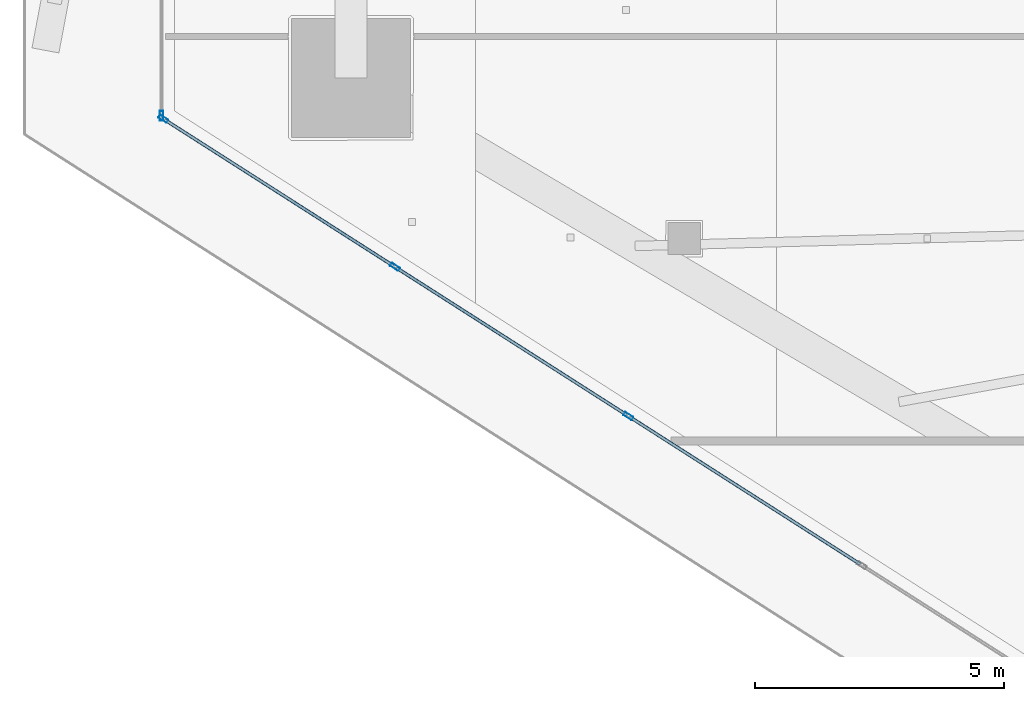
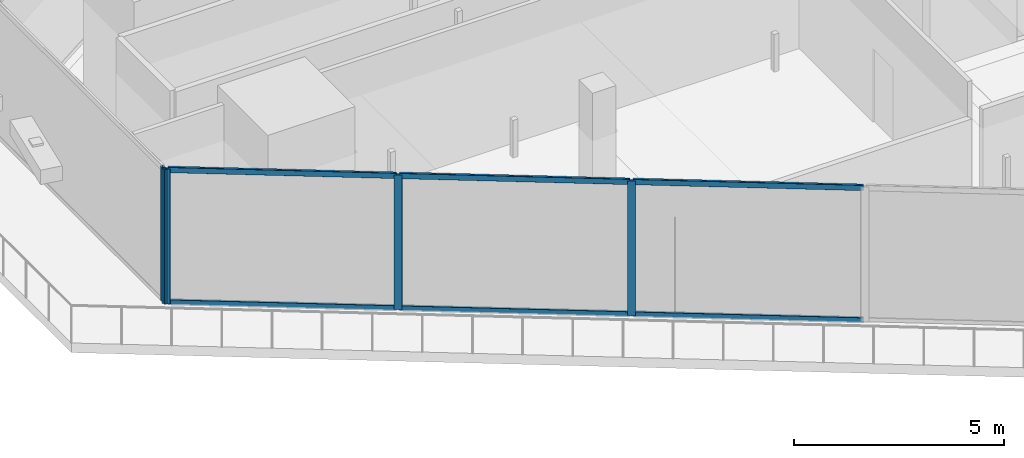
# One storey, part 3 of 47: 10 members, 2 elements without a shape of their own.
"""IFC4 building model written with IfcOpenShell, lengths in metres."""

from ifc_helpers import new_model, si_unit, direction, frame, origin, origin_2d, place, context, subcontext, project, spatial, hollow_rectangle, extrude, material, layer, layer_set, material_profile, profile_set, type_object, element, aggregate, save


model = new_model("IFC4")

# Units and contexts
model_context = context("Model", 3, precision=1e-05, world=origin(), true_north=direction((0.0, 1.0)))
body_context = subcontext(model_context, "Body", "Model", "MODEL_VIEW")
ifc_project = project(units=[si_unit("LENGTHUNIT", "METRE"), si_unit("AREAUNIT", "SQUARE_METRE"), si_unit("VOLUMEUNIT", "CUBIC_METRE"), si_unit("PLANEANGLEUNIT", "RADIAN"), si_unit("MASSUNIT", "GRAM", prefix="KILO")], contexts=[model_context])

# Site, building, storey
site_placement = place(None, origin())
site = spatial("IfcSite", under=ifc_project, at=site_placement, CompositionType="ELEMENT")
building_placement = place(site_placement, origin())
building = spatial("IfcBuilding", under=site, at=building_placement, Name="Qorvath Tower", CompositionType="ELEMENT")
storey_placement = place(building_placement, frame((0.0, 0.0, 82.800048828125)))
storey = spatial("IfcBuildingStorey", under=building, at=storey_placement, Name="L18", CompositionType="ELEMENT", Elevation=82.800048828125)

# Curtain wall, member
ifc_material_1 = material(Name="Anodised aluminium and triple low-E glass", Category="aluminium")
ifc_layer = layer(ifc_material_1, 0.179931640625)
ifc_layer_set = layer_set([ifc_layer], Name="CW-SYS-5")
curtain_wall_type = type_object("IfcCurtainWallType", Name="CW-SYS-5", PredefinedType="NOTDEFINED", material=ifc_layer_set)
curtain_wall_1_placement = place(storey_placement, origin())
curtain_wall_1 = element("IfcCurtainWall", 1, at=curtain_wall_1_placement, inside=storey, type_object=curtain_wall_type, Name="Curtain Wall CW-5 CW-T-L18-5.1", PredefinedType="NOTDEFINED")
ifc_material_2 = material(Name="Anodised aluminium 6063-T6", Category="aluminium")
ifc_material_profile_1 = material_profile(ifc_material_2, hollow_rectangle(XDim=0.074951171875, YDim=0.199951171875, WallThickness=0.00390625, InnerFilletRadius=0.00390625, OuterFilletRadius=0.008056640625, at=origin_2d()), Name="CWM 200x75")
ifc_profile_set_1 = profile_set([ifc_material_profile_1], Name="Anodised aluminium 6063-T6")
member_type_1 = type_object("IfcMemberType", Name="CWM-200", PredefinedType="MULLION", material=ifc_profile_set_1)
member_1_placement = place(storey_placement, frame((-59.094482421875, -3.95654296875, 0.0), z_axis=(0.0, 0.0, 1.0), x_axis=(1.0, 0.0, 0.0)))
member_1 = element("IfcMember", 2, at=member_1_placement, type_object=member_type_1, Name="CW-5 mullion 2", PredefinedType="MULLION", context=body_context, shape_type="SweptSolid", body=[
    extrude(hollow_rectangle(XDim=0.074951171875, YDim=0.199951171875, WallThickness=0.00390625, InnerFilletRadius=0.00390625, OuterFilletRadius=0.008056640625, at=origin_2d()), origin(), (0.0, 0.0, 1.0), 3.919921875),
])
aggregate(curtain_wall_1, [member_1])

# Curtain wall, members
curtain_wall_2_placement = place(storey_placement, origin())
curtain_wall_2 = element("IfcCurtainWall", 3, at=curtain_wall_2_placement, inside=storey, type_object=curtain_wall_type, Name="Curtain Wall CW-5 CW-T-L18-6.1", PredefinedType="NOTDEFINED")
member_2_placement = place(storey_placement, frame((-59.06298828125, -4.014404296875, 0.0), z_axis=(0.0, 0.0, 1.0), x_axis=(0.538527563, 0.842607894509, 0.0)))
member_2 = element("IfcMember", 4, at=member_2_placement, type_object=member_type_1, Name="CW-5 mullion 1", PredefinedType="MULLION", context=body_context, shape_type="SweptSolid", body=[
    extrude(hollow_rectangle(XDim=0.074951171875, YDim=0.199951171875, WallThickness=0.00390625, InnerFilletRadius=0.00390625, OuterFilletRadius=0.008056640625, at=origin_2d()), origin(), (0.0, 0.0, 1.0), 3.919921875),
])
member_3_placement = place(storey_placement, frame((-54.39990234375, -6.994384765625, 0.0), z_axis=(0.0, 0.0, 1.0), x_axis=(0.538527563, 0.842607894509, 0.0)))
member_3 = element("IfcMember", 5, at=member_3_placement, type_object=member_type_1, Name="CW-5 mullion 2", PredefinedType="MULLION", context=body_context, shape_type="SweptSolid", body=[
    extrude(hollow_rectangle(XDim=0.074951171875, YDim=0.199951171875, WallThickness=0.00390625, InnerFilletRadius=0.00390625, OuterFilletRadius=0.008056640625, at=origin_2d()), origin(), (0.0, 0.0, 1.0), 3.919921875),
])
member_4_placement = place(storey_placement, frame((-49.705322265625, -9.994873046875, 0.0), z_axis=(0.0, 0.0, 1.0), x_axis=(0.538527563, 0.842607894509, 0.0)))
member_4 = element("IfcMember", 6, at=member_4_placement, type_object=member_type_1, Name="CW-5 mullion 3", PredefinedType="MULLION", context=body_context, shape_type="SweptSolid", body=[
    extrude(hollow_rectangle(XDim=0.074951171875, YDim=0.199951171875, WallThickness=0.00390625, InnerFilletRadius=0.00390625, OuterFilletRadius=0.008056640625, at=origin_2d()), origin(), (0.0, 0.0, 1.0), 3.919921875),
])
ifc_material_3 = material(Name="Anodised aluminium 6063-T6", Category="aluminium")
ifc_material_profile_2 = material_profile(ifc_material_3, hollow_rectangle(XDim=0.06494140625, YDim=0.159912109375, WallThickness=0.00341796875, InnerFilletRadius=0.00341796875, OuterFilletRadius=0.007080078125, at=origin_2d()), Name="CWT 160x65")
ifc_profile_set_2 = profile_set([ifc_material_profile_2], Name="Anodised aluminium 6063-T6")
member_type_2 = type_object("IfcMemberType", Name="CWT-160", PredefinedType="USERDEFINED", material=ifc_profile_set_2)
member_5_placement = place(storey_placement, frame((-59.03125, -4.034423828125, 0.032470703125), z_axis=(0.842600995592, -0.538538357248, 0.0), x_axis=(0.538538357248, 0.842600995592, 0.0)))
member_5 = element("IfcMember", 7, at=member_5_placement, type_object=member_type_2, Name="CW-5 transom 1.1", ObjectType="TRANSOM", PredefinedType="USERDEFINED", context=body_context, shape_type="SweptSolid", body=[
    extrude(hollow_rectangle(XDim=0.06494140625, YDim=0.159912109375, WallThickness=0.00341796875, InnerFilletRadius=0.00341796875, OuterFilletRadius=0.007080078125, at=origin_2d()), origin(), (0.0, 0.0, 1.0), 5.459228515625),
])
member_6_placement = place(storey_placement, frame((-59.03125, -4.034423828125, 3.887451171875), z_axis=(0.842600995592, -0.538538357248, 0.0), x_axis=(0.538538357248, 0.842600995592, 0.0)))
member_6 = element("IfcMember", 8, at=member_6_placement, type_object=member_type_2, Name="CW-5 transom 1.2", ObjectType="TRANSOM", PredefinedType="USERDEFINED", context=body_context, shape_type="SweptSolid", body=[
    extrude(hollow_rectangle(XDim=0.06494140625, YDim=0.159912109375, WallThickness=0.00341796875, InnerFilletRadius=0.00341796875, OuterFilletRadius=0.007080078125, at=origin_2d()), origin(), (0.0, 0.0, 1.0), 5.459228515625),
])
member_7_placement = place(storey_placement, frame((-54.368408203125, -7.0146484375, 0.032470703125), z_axis=(0.842622922397, -0.538504048872, 0.0), x_axis=(0.538504048872, 0.842622922397, 0.0)))
member_7 = element("IfcMember", 9, at=member_7_placement, type_object=member_type_2, Name="CW-5 transom 2.1", ObjectType="TRANSOM", PredefinedType="USERDEFINED", context=body_context, shape_type="SweptSolid", body=[
    extrude(hollow_rectangle(XDim=0.06494140625, YDim=0.159912109375, WallThickness=0.00341796875, InnerFilletRadius=0.00341796875, OuterFilletRadius=0.007080078125, at=origin_2d()), origin(), (0.0, 0.0, 1.0), 5.49658203125),
])
member_8_placement = place(storey_placement, frame((-54.368408203125, -7.0146484375, 3.887451171875), z_axis=(0.842622922397, -0.538504048872, 0.0), x_axis=(0.538504048872, 0.842622922397, 0.0)))
member_8 = element("IfcMember", 10, at=member_8_placement, type_object=member_type_2, Name="CW-5 transom 2.2", ObjectType="TRANSOM", PredefinedType="USERDEFINED", context=body_context, shape_type="SweptSolid", body=[
    extrude(hollow_rectangle(XDim=0.06494140625, YDim=0.159912109375, WallThickness=0.00341796875, InnerFilletRadius=0.00341796875, OuterFilletRadius=0.007080078125, at=origin_2d()), origin(), (0.0, 0.0, 1.0), 5.49658203125),
])
member_9_placement = place(storey_placement, frame((-49.673828125, -10.01513671875, 0.032470703125), z_axis=(0.842622922397, -0.538504048872, 0.0), x_axis=(0.538504048872, 0.842622922397, 0.0)))
member_9 = element("IfcMember", 11, at=member_9_placement, type_object=member_type_2, Name="CW-5 transom 3.1", ObjectType="TRANSOM", PredefinedType="USERDEFINED", context=body_context, shape_type="SweptSolid", body=[
    extrude(hollow_rectangle(XDim=0.06494140625, YDim=0.159912109375, WallThickness=0.00341796875, InnerFilletRadius=0.00341796875, OuterFilletRadius=0.007080078125, at=origin_2d()), origin(), (0.0, 0.0, 1.0), 5.49658203125),
])
member_10_placement = place(storey_placement, frame((-49.673828125, -10.01513671875, 3.887451171875), z_axis=(0.842622922397, -0.538504048872, 0.0), x_axis=(0.538504048872, 0.842622922397, 0.0)))
member_10 = element("IfcMember", 12, at=member_10_placement, type_object=member_type_2, Name="CW-5 transom 3.2", ObjectType="TRANSOM", PredefinedType="USERDEFINED", context=body_context, shape_type="SweptSolid", body=[
    extrude(hollow_rectangle(XDim=0.06494140625, YDim=0.159912109375, WallThickness=0.00341796875, InnerFilletRadius=0.00341796875, OuterFilletRadius=0.007080078125, at=origin_2d()), origin(), (0.0, 0.0, 1.0), 5.49658203125),
])
aggregate(curtain_wall_2, [member_2, member_3, member_4, member_5, member_6, member_7, member_8, member_9, member_10])

save(model, "model.ifc")
